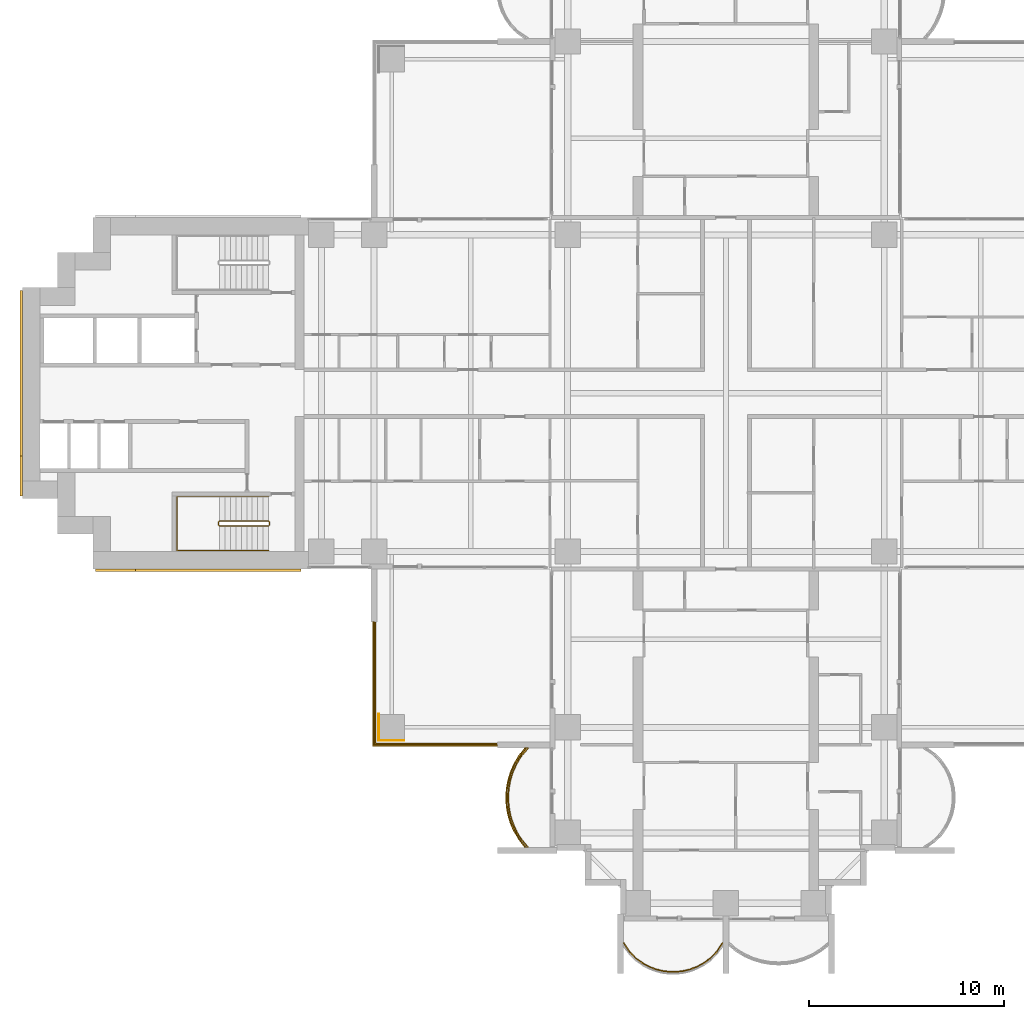
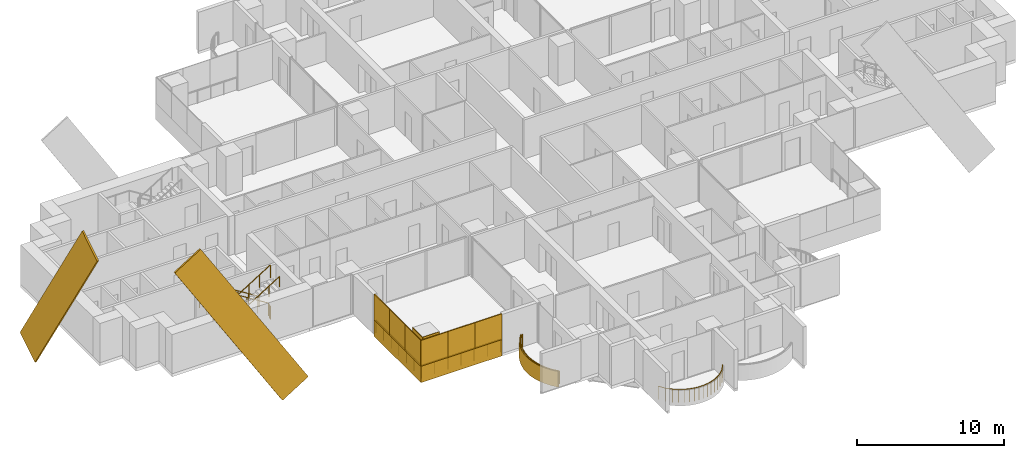
# One storey, part 18 of 22: 12 coverings, 5 railings.
"""IFC4 building model written with IfcOpenShell, lengths in metres."""

from ifc_helpers import new_model, si_unit, direction, frame, origin, origin_2d, place, context, subcontext, project, spatial, polyline, rectangle, outline, extrude, material, layer, layer_set, material_profile, profile_set, type_object, element, save


model = new_model("IFC4")

# Units and contexts
model_context = context("Model", 3, precision=1e-05, world=origin(), true_north=direction((0.0, 1.0)))
body_context = subcontext(model_context, "Body", "Model", "MODEL_VIEW")
ifc_project = project(units=[si_unit("LENGTHUNIT", "METRE"), si_unit("AREAUNIT", "SQUARE_METRE"), si_unit("VOLUMEUNIT", "CUBIC_METRE"), si_unit("PLANEANGLEUNIT", "RADIAN"), si_unit("MASSUNIT", "GRAM", prefix="KILO")], contexts=[model_context])

# Site, building, storey
site_placement = place(None, origin())
site = spatial("IfcSite", under=ifc_project, at=site_placement, CompositionType="ELEMENT")
building_placement = place(site_placement, origin())
building = spatial("IfcBuilding", under=site, at=building_placement, Name="Perihelion Cross Residences", CompositionType="ELEMENT")
storey_placement = place(building_placement, frame((0.0, 0.0, 50.5)))
storey = spatial("IfcBuildingStorey", under=building, at=storey_placement, Name="L09", CompositionType="ELEMENT", Elevation=50.5)

# Covering
ifc_material_1 = material(Name="Bronze anodised aluminium", Category="aluminium")
ifc_layer_1 = layer(ifc_material_1, 0.070068359375)
ifc_layer_set_1 = layer_set([ifc_layer_1], Name="Balcony fascia 1300")
covering_type_1 = type_object("IfcCoveringType", Name="Balcony fascia 1300", PredefinedType="CLADDING", material=ifc_layer_set_1)
covering_1_placement = place(storey_placement, frame((0.0, 0.0, -0.199951171875)))
element("IfcCovering", 1, at=covering_1_placement, inside=storey, type_object=covering_type_1, Name="Fascia BF1 L09 south side west bay 2", PredefinedType="CLADDING", context=body_context, shape_type="SweptSolid", body=[
    extrude(outline(polyline([(-10.59765625, -18.53515625), (-10.85498046875, -18.96826171875), (-11.04248046875, -19.401123046875), (-11.170654296875, -19.833984375), (-11.245361328125, -20.26708984375), (-11.27001953125, -20.699951171875), (-11.245361328125, -21.133056640625), (-11.170654296875, -21.56591796875), (-11.04248046875, -21.998779296875), (-10.85498046875, -22.431884765625), (-10.59765625, -22.86474609375), (-10.28955078125, -23.25), (-10.199951171875, -23.25), (-10.5400390625, -22.824951171875), (-10.792724609375, -22.39990234375), (-10.9765625, -21.97509765625), (-11.1025390625, -21.550048828125), (-11.17578125, -21.125), (-11.199951171875, -20.699951171875), (-11.17578125, -20.27490234375), (-11.1025390625, -19.85009765625), (-10.9765625, -19.425048828125), (-10.792724609375, -19.0), (-10.5400390625, -18.574951171875), (-10.199951171875, -18.14990234375), (-10.28955078125, -18.14990234375), (-10.59765625, -18.53515625)])), origin(), (0.0, 0.0, 1.0), 1.300048828125),
])

# Railings
ifc_material_2 = material(Name="Bronze anodised aluminium", Category="aluminium")
railing_type_1 = type_object("IfcRailingType", Name="Balcony guard 1100", PredefinedType="GUARDRAIL", material=ifc_material_2)
railing_1_placement = place(storey_placement, frame((-10.139892578125, -18.175048828125, 0.0)))
element("IfcRailing", 2, at=railing_1_placement, inside=storey, type_object=railing_type_1, Name="Guard GU1 L09 south side west bay 2 balcony", PredefinedType="GUARDRAIL", context=body_context, shape_type="SweptSolid", body=[
    extrude(rectangle(XDim=0.048095703125, YDim=0.048095703125, at=origin_2d()), frame((0.0, 0.0, 1.076171875), z_axis=(-0.647837396648, -0.761778647315, 0.0), x_axis=(0.761778647315, -0.647837396648, 0.0)), (0.0, 0.0, 1.0), 0.52490234375),
    extrude(rectangle(XDim=0.048095703125, YDim=0.048095703125, at=origin_2d()), frame((-0.340087890625, -0.39990234375, 1.076171875), z_axis=(-0.511006381501, -0.859576918062, 0.0), x_axis=(0.859576918062, -0.511006381501, 0.0)), (0.0, 0.0, 1.0), 0.494384765625),
    extrude(rectangle(XDim=0.048095703125, YDim=0.048095703125, at=origin_2d()), frame((-0.5927734375, -0.824951171875, 1.076171875), z_axis=(-0.397415137459, -0.917638931453, 0.0), x_axis=(0.917638931453, -0.397415137459, 0.0)), (0.0, 0.0, 1.0), 0.463134765625),
    extrude(rectangle(XDim=0.048095703125, YDim=0.048095703125, at=origin_2d()), frame((-0.77685546875, -1.25, 1.076171875), z_axis=(-0.283656975924, -0.958925815697, 0.0), x_axis=(0.958925815697, -0.283656975924, 0.0)), (0.0, 0.0, 1.0), 0.443359375),
    extrude(rectangle(XDim=0.048095703125, YDim=0.048095703125, at=origin_2d()), frame((-0.902587890625, -1.675048828125, 1.076171875), z_axis=(-0.170456843651, -0.985365142702, 0.0), x_axis=(0.985365142702, -0.170456843651, 0.0)), (0.0, 0.0, 1.0), 0.43115234375),
    extrude(rectangle(XDim=0.048095703125, YDim=0.048095703125, at=origin_2d()), frame((-0.97607421875, -2.099853515625, 1.076171875), z_axis=(-0.056200523353, -0.9984195016, 0.0), x_axis=(0.9984195016, -0.056200523353, 0.0)), (0.0, 0.0, 1.0), 0.42578125),
    extrude(rectangle(XDim=0.048095703125, YDim=0.048095703125, at=origin_2d()), frame((-1.0, -2.52490234375, 1.076171875), z_axis=(0.056200523353, -0.9984195016, 0.0), x_axis=(0.9984195016, 0.056200523353, 0.0)), (0.0, 0.0, 1.0), 0.42578125),
    extrude(rectangle(XDim=0.048095703125, YDim=0.048095703125, at=origin_2d()), frame((-0.97607421875, -2.949951171875, 1.076171875), z_axis=(0.17036177859, -0.985381583142, 0.0), x_axis=(0.985381583142, 0.17036177859, 0.0)), (0.0, 0.0, 1.0), 0.431396484375),
    extrude(rectangle(XDim=0.048095703125, YDim=0.048095703125, at=origin_2d()), frame((-0.902587890625, -3.375, 1.076171875), z_axis=(0.283656975924, -0.958925815697, 0.0), x_axis=(0.958925815697, 0.283656975924, 0.0)), (0.0, 0.0, 1.0), 0.443359375),
    extrude(rectangle(XDim=0.048095703125, YDim=0.048095703125, at=origin_2d()), frame((-0.77685546875, -3.800048828125, 1.076171875), z_axis=(0.397607437634, -0.91755562531, 0.0), x_axis=(0.91755562531, 0.397607437634, 0.0)), (0.0, 0.0, 1.0), 0.462890625),
    extrude(rectangle(XDim=0.048095703125, YDim=0.048095703125, at=origin_2d()), frame((-0.5927734375, -4.224853515625, 1.076171875), z_axis=(0.511006381501, -0.859576918062, 0.0), x_axis=(0.859576918062, 0.511006381501, 0.0)), (0.0, 0.0, 1.0), 0.494384765625),
    extrude(rectangle(XDim=0.048095703125, YDim=0.048095703125, at=origin_2d()), frame((-0.340087890625, -4.64990234375, 1.076171875), z_axis=(0.647607934281, -0.761973728849, 0.0), x_axis=(0.761973728849, 0.647607934281, 0.0)), (0.0, 0.0, 1.0), 0.525146484375),
    extrude(rectangle(XDim=0.0419921875, YDim=0.0419921875, at=origin_2d()), origin(), (0.0, 0.0, 1.0), 1.052001953125),
    extrude(rectangle(XDim=0.0419921875, YDim=0.0419921875, at=origin_2d()), frame((-0.340087890625, -0.39990234375, 0.0)), (0.0, 0.0, 1.0), 1.052001953125),
    extrude(rectangle(XDim=0.0419921875, YDim=0.0419921875, at=origin_2d()), frame((-0.5927734375, -0.824951171875, 0.0)), (0.0, 0.0, 1.0), 1.052001953125),
    extrude(rectangle(XDim=0.0419921875, YDim=0.0419921875, at=origin_2d()), frame((-0.77685546875, -1.25, 0.0)), (0.0, 0.0, 1.0), 1.052001953125),
    extrude(rectangle(XDim=0.0419921875, YDim=0.0419921875, at=origin_2d()), frame((-0.902587890625, -1.675048828125, 0.0)), (0.0, 0.0, 1.0), 1.052001953125),
    extrude(rectangle(XDim=0.0419921875, YDim=0.0419921875, at=origin_2d()), frame((-0.97607421875, -2.099853515625, 0.0)), (0.0, 0.0, 1.0), 1.052001953125),
    extrude(rectangle(XDim=0.0419921875, YDim=0.0419921875, at=origin_2d()), frame((-1.0, -2.52490234375, 0.0)), (0.0, 0.0, 1.0), 1.052001953125),
    extrude(rectangle(XDim=0.0419921875, YDim=0.0419921875, at=origin_2d()), frame((-0.97607421875, -2.949951171875, 0.0)), (0.0, 0.0, 1.0), 1.052001953125),
    extrude(rectangle(XDim=0.0419921875, YDim=0.0419921875, at=origin_2d()), frame((-0.902587890625, -3.375, 0.0)), (0.0, 0.0, 1.0), 1.052001953125),
    extrude(rectangle(XDim=0.0419921875, YDim=0.0419921875, at=origin_2d()), frame((-0.77685546875, -3.800048828125, 0.0)), (0.0, 0.0, 1.0), 1.052001953125),
    extrude(rectangle(XDim=0.0419921875, YDim=0.0419921875, at=origin_2d()), frame((-0.5927734375, -4.224853515625, 0.0)), (0.0, 0.0, 1.0), 1.052001953125),
    extrude(rectangle(XDim=0.0419921875, YDim=0.0419921875, at=origin_2d()), frame((-0.340087890625, -4.64990234375, 0.0)), (0.0, 0.0, 1.0), 1.052001953125),
    extrude(rectangle(XDim=0.0419921875, YDim=0.0419921875, at=origin_2d()), frame((0.0, -5.050048828125, 0.0)), (0.0, 0.0, 1.0), 1.052001953125),
])
railing_2_placement = place(storey_placement, frame((-5.22509765625, -28.139892578125, 0.0)))
element("IfcRailing", 3, at=railing_2_placement, inside=storey, type_object=railing_type_1, Name="Guard GU1 L09 south tip south bay 1 balcony", PredefinedType="GUARDRAIL", context=body_context, shape_type="SweptSolid", body=[
    extrude(rectangle(XDim=0.048095703125, YDim=0.048095703125, at=origin_2d()), frame((0.0, 0.0, 1.076171875), z_axis=(0.55144309028, -0.834212513801, 0.0), x_axis=(0.834212513801, 0.55144309028, 0.0)), (0.0, 0.0, 1.0), 0.571533203125),
    extrude(rectangle(XDim=0.048095703125, YDim=0.048095703125, at=origin_2d()), frame((0.315185546875, -0.476806640625, 1.076171875), z_axis=(0.717080736691, -0.696990112603, 0.0), x_axis=(0.696990112603, 0.717080736691, 0.0)), (0.0, 0.0, 1.0), 0.473876953125),
    extrude(rectangle(XDim=0.048095703125, YDim=0.048095703125, at=origin_2d()), frame((0.655029296875, -0.80712890625, 1.076171875), z_axis=(0.814562360662, -0.580075995532, 0.0), x_axis=(0.580075995532, 0.814562360662, 0.0)), (0.0, 0.0, 1.0), 0.41748046875),
    extrude(rectangle(XDim=0.048095703125, YDim=0.048095703125, at=origin_2d()), frame((0.9951171875, -1.04931640625, 1.076171875), z_axis=(0.886005761733, -0.463674228502, 0.0), x_axis=(0.463674228502, 0.886005761733, 0.0)), (0.0, 0.0, 1.0), 0.3837890625),
    extrude(rectangle(XDim=0.048095703125, YDim=0.048095703125, at=origin_2d()), frame((1.335205078125, -1.227294921875, 1.076171875), z_axis=(0.937431552165, -0.348169621027, 0.0), x_axis=(0.348169621027, 0.937431552165, 0.0)), (0.0, 0.0, 1.0), 0.362548828125),
    extrude(rectangle(XDim=0.048095703125, YDim=0.048095703125, at=origin_2d()), frame((1.675048828125, -1.353515625, 1.076171875), z_axis=(0.972753741142, -0.231840805498, 0.0), x_axis=(0.231840805498, 0.972753741142, 0.0)), (0.0, 0.0, 1.0), 0.349609375),
    extrude(rectangle(XDim=0.048095703125, YDim=0.048095703125, at=origin_2d()), frame((2.01513671875, -1.4345703125, 1.076171875), z_axis=(0.993295952156, -0.11559909788, 0.0), x_axis=(0.11559909788, 0.993295952156, 0.0)), (0.0, 0.0, 1.0), 0.342041015625),
    extrude(rectangle(XDim=0.048095703125, YDim=0.048095703125, at=origin_2d()), frame((2.35498046875, -1.47412109375, 1.076171875), z_axis=(1.0, 0.0, 0.0), x_axis=(0.0, 1.0, 0.0)), (0.0, 0.0, 1.0), 0.340087890625),
    extrude(rectangle(XDim=0.048095703125, YDim=0.048095703125, at=origin_2d()), frame((2.695068359375, -1.47412109375, 1.076171875), z_axis=(0.993305477634, 0.11551721994, 0.0), x_axis=(-0.11551721994, 0.993305477634, 0.0)), (0.0, 0.0, 1.0), 0.34228515625),
    extrude(rectangle(XDim=0.048095703125, YDim=0.048095703125, at=origin_2d()), frame((3.03515625, -1.4345703125, 1.076171875), z_axis=(0.972716168284, 0.231998396458, 0.0), x_axis=(-0.231998396458, 0.972716168284, 0.0)), (0.0, 0.0, 1.0), 0.349365234375),
    extrude(rectangle(XDim=0.048095703125, YDim=0.048095703125, at=origin_2d()), frame((3.375, -1.353515625, 1.076171875), z_axis=(0.93751311099, 0.347949948587, 0.0), x_axis=(-0.347949948587, 0.93751311099, 0.0)), (0.0, 0.0, 1.0), 0.36279296875),
    extrude(rectangle(XDim=0.048095703125, YDim=0.048095703125, at=origin_2d()), frame((3.715087890625, -1.227294921875, 1.076171875), z_axis=(0.886005761733, 0.463674228502, 0.0), x_axis=(-0.463674228502, 0.886005761733, 0.0)), (0.0, 0.0, 1.0), 0.3837890625),
    extrude(rectangle(XDim=0.048095703125, YDim=0.048095703125, at=origin_2d()), frame((4.05517578125, -1.04931640625, 1.076171875), z_axis=(0.814365457194, 0.580352394782, 0.0), x_axis=(-0.580352394782, 0.814365457194, 0.0)), (0.0, 0.0, 1.0), 0.417236328125),
    extrude(rectangle(XDim=0.048095703125, YDim=0.048095703125, at=origin_2d()), frame((4.39501953125, -0.80712890625, 1.076171875), z_axis=(0.717330852669, 0.69673269466, 0.0), x_axis=(-0.69673269466, 0.717330852669, 0.0)), (0.0, 0.0, 1.0), 0.47412109375),
    extrude(rectangle(XDim=0.048095703125, YDim=0.048095703125, at=origin_2d()), frame((4.735107421875, -0.476806640625, 1.076171875), z_axis=(0.551145731138, 0.834409002258, 0.0), x_axis=(-0.834409002258, 0.551145731138, 0.0)), (0.0, 0.0, 1.0), 0.571533203125),
    extrude(rectangle(XDim=0.0419921875, YDim=0.0419921875, at=origin_2d()), origin(), (0.0, 0.0, 1.0), 1.052001953125),
    extrude(rectangle(XDim=0.0419921875, YDim=0.0419921875, at=origin_2d()), frame((0.315185546875, -0.476806640625, 0.0)), (0.0, 0.0, 1.0), 1.052001953125),
    extrude(rectangle(XDim=0.0419921875, YDim=0.0419921875, at=origin_2d()), frame((0.655029296875, -0.80712890625, 0.0)), (0.0, 0.0, 1.0), 1.052001953125),
    extrude(rectangle(XDim=0.0419921875, YDim=0.0419921875, at=origin_2d()), frame((0.9951171875, -1.04931640625, 0.0)), (0.0, 0.0, 1.0), 1.052001953125),
    extrude(rectangle(XDim=0.0419921875, YDim=0.0419921875, at=origin_2d()), frame((1.335205078125, -1.227294921875, 0.0)), (0.0, 0.0, 1.0), 1.052001953125),
    extrude(rectangle(XDim=0.0419921875, YDim=0.0419921875, at=origin_2d()), frame((1.675048828125, -1.353515625, 0.0)), (0.0, 0.0, 1.0), 1.052001953125),
    extrude(rectangle(XDim=0.0419921875, YDim=0.0419921875, at=origin_2d()), frame((2.01513671875, -1.4345703125, 0.0)), (0.0, 0.0, 1.0), 1.052001953125),
    extrude(rectangle(XDim=0.0419921875, YDim=0.0419921875, at=origin_2d()), frame((2.35498046875, -1.47412109375, 0.0)), (0.0, 0.0, 1.0), 1.052001953125),
    extrude(rectangle(XDim=0.0419921875, YDim=0.0419921875, at=origin_2d()), frame((2.695068359375, -1.47412109375, 0.0)), (0.0, 0.0, 1.0), 1.052001953125),
    extrude(rectangle(XDim=0.0419921875, YDim=0.0419921875, at=origin_2d()), frame((3.03515625, -1.4345703125, 0.0)), (0.0, 0.0, 1.0), 1.052001953125),
    extrude(rectangle(XDim=0.0419921875, YDim=0.0419921875, at=origin_2d()), frame((3.375, -1.353515625, 0.0)), (0.0, 0.0, 1.0), 1.052001953125),
    extrude(rectangle(XDim=0.0419921875, YDim=0.0419921875, at=origin_2d()), frame((3.715087890625, -1.227294921875, 0.0)), (0.0, 0.0, 1.0), 1.052001953125),
    extrude(rectangle(XDim=0.0419921875, YDim=0.0419921875, at=origin_2d()), frame((4.05517578125, -1.04931640625, 0.0)), (0.0, 0.0, 1.0), 1.052001953125),
    extrude(rectangle(XDim=0.0419921875, YDim=0.0419921875, at=origin_2d()), frame((4.39501953125, -0.80712890625, 0.0)), (0.0, 0.0, 1.0), 1.052001953125),
    extrude(rectangle(XDim=0.0419921875, YDim=0.0419921875, at=origin_2d()), frame((4.735107421875, -0.476806640625, 0.0)), (0.0, 0.0, 1.0), 1.052001953125),
    extrude(rectangle(XDim=0.0419921875, YDim=0.0419921875, at=origin_2d()), frame((5.050048828125, 0.0, 0.0)), (0.0, 0.0, 1.0), 1.052001953125),
])
railing_3_placement = place(storey_placement, frame((-11.739990234375, -17.93994140625, 0.0)))
element("IfcRailing", 4, at=railing_3_placement, inside=storey, type_object=railing_type_1, Name="Guard GU1 L09 pocket south-west 1", PredefinedType="GUARDRAIL", context=body_context, shape_type="SweptSolid", body=[
    extrude(rectangle(XDim=0.048095703125, YDim=0.048095703125, at=origin_2d()), frame((0.0, 0.0, 1.076171875), z_axis=(-1.0, 0.0, 0.0), x_axis=(0.0, -1.0, 0.0)), (0.0, 0.0, 1.0), 6.199951171875),
    extrude(rectangle(XDim=0.048095703125, YDim=0.048095703125, at=origin_2d()), frame((-6.199951171875, 0.0, 1.076171875), z_axis=(0.0, 1.0, 0.0), x_axis=(-1.0, 0.0, 0.0)), (0.0, 0.0, 1.0), 6.199951171875),
    extrude(rectangle(XDim=0.0419921875, YDim=0.0419921875, at=origin_2d()), origin(), (0.0, 0.0, 1.0), 1.052001953125),
    extrude(rectangle(XDim=0.0419921875, YDim=0.0419921875, at=origin_2d()), frame((-1.033203125, 0.0, 0.0)), (0.0, 0.0, 1.0), 1.052001953125),
    extrude(rectangle(XDim=0.0419921875, YDim=0.0419921875, at=origin_2d()), frame((-2.066650390625, 0.0, 0.0)), (0.0, 0.0, 1.0), 1.052001953125),
    extrude(rectangle(XDim=0.0419921875, YDim=0.0419921875, at=origin_2d()), frame((-3.10009765625, 0.0, 0.0)), (0.0, 0.0, 1.0), 1.052001953125),
    extrude(rectangle(XDim=0.0419921875, YDim=0.0419921875, at=origin_2d()), frame((-4.13330078125, 0.0, 0.0)), (0.0, 0.0, 1.0), 1.052001953125),
    extrude(rectangle(XDim=0.0419921875, YDim=0.0419921875, at=origin_2d()), frame((-5.16650390625, 0.0, 0.0)), (0.0, 0.0, 1.0), 1.052001953125),
    extrude(rectangle(XDim=0.0419921875, YDim=0.0419921875, at=origin_2d()), frame((-6.199951171875, 0.0, 0.0)), (0.0, 0.0, 1.0), 1.052001953125),
    extrude(rectangle(XDim=0.0419921875, YDim=0.0419921875, at=origin_2d()), frame((-6.199951171875, 1.033203125, 0.0)), (0.0, 0.0, 1.0), 1.052001953125),
    extrude(rectangle(XDim=0.0419921875, YDim=0.0419921875, at=origin_2d()), frame((-6.199951171875, 2.066650390625, 0.0)), (0.0, 0.0, 1.0), 1.052001953125),
    extrude(rectangle(XDim=0.0419921875, YDim=0.0419921875, at=origin_2d()), frame((-6.199951171875, 3.10009765625, 0.0)), (0.0, 0.0, 1.0), 1.052001953125),
    extrude(rectangle(XDim=0.0419921875, YDim=0.0419921875, at=origin_2d()), frame((-6.199951171875, 4.13330078125, 0.0)), (0.0, 0.0, 1.0), 1.052001953125),
    extrude(rectangle(XDim=0.0419921875, YDim=0.0419921875, at=origin_2d()), frame((-6.199951171875, 5.16650390625, 0.0)), (0.0, 0.0, 1.0), 1.052001953125),
    extrude(rectangle(XDim=0.0419921875, YDim=0.0419921875, at=origin_2d()), frame((-6.199951171875, 6.199951171875, 0.0)), (0.0, 0.0, 1.0), 1.052001953125),
])

# Coverings
ifc_material_3 = material(Name="Bronze anodised aluminium", Category="aluminium")
ifc_material_profile = material_profile(ifc_material_3, rectangle(XDim=0.125, YDim=2.39990234375, at=origin_2d()), Name="Bronze cladding band 2400")
ifc_profile_set = profile_set([ifc_material_profile], Name="Bronze anodised aluminium")
covering_type_2 = type_object("IfcCoveringType", Name="Bronze cladding band 2400", PredefinedType="CLADDING", material=ifc_profile_set)
for number, where, z_axis, x_axis, name in (
    (5, (-22.767578125, -9.0625, -4.509765625), (-0.529924750763, 0.0, 0.848044667767), (0.0, -1.0, 0.0), "Core cladding band, west core"),
    (6, (-36.0625, 4.232421875, -4.509765625), (0.0, -0.529924750763, 0.848044667767), (1.0, 0.0, 0.0), "Core cladding band, west core"),
):
    element("IfcCovering", number, at=place(storey_placement, frame(where, z_axis=z_axis, x_axis=x_axis)), inside=storey, type_object=covering_type_2, Name=name, PredefinedType="CLADDING", context=body_context, shape_type="SweptSolid", body=[
        extrude(rectangle(XDim=0.125, YDim=2.39990234375, at=origin_2d()), origin(), (0.0, 0.0, 1.0), 15.9736328125),
    ])
ifc_material_4 = material(Name="Bronze anodised aluminium", Category="aluminium")
ifc_layer_2 = layer(ifc_material_4, 0.0400390625)
ifc_layer_set_2 = layer_set([ifc_layer_2], Name="Bronze column casing 40")
covering_type_3 = type_object("IfcCoveringType", Name="Bronze column casing 40", PredefinedType="CLADDING", material=ifc_layer_set_2)
covering_2_placement = place(storey_placement, frame((-17.77001953125, -17.10009765625, -0.25), z_axis=(0.0, 0.0, 1.0), x_axis=(1.0, 0.0, 0.0)))
element("IfcCovering", 7, at=covering_2_placement, inside=storey, type_object=covering_type_3, Name="Cladding CC1 L09 casing east-west no. 1", PredefinedType="CLADDING", context=body_context, shape_type="SweptSolid", body=[
    extrude(rectangle(XDim=0.0400390625, YDim=1.3798828125, at=origin_2d()), origin(), (0.0, 0.0, 1.0), 3.5),
])
covering_3_placement = place(storey_placement, frame((-17.10009765625, -17.77001953125, -0.25), z_axis=(0.0, 0.0, 1.0), x_axis=(1.0, 0.0, 0.0)))
element("IfcCovering", 8, at=covering_3_placement, inside=storey, type_object=covering_type_3, Name="Cladding CC1 L09 casing north-south no. 1", PredefinedType="CLADDING", context=body_context, shape_type="SweptSolid", body=[
    extrude(rectangle(XDim=1.300048828125, YDim=0.0400390625, at=origin_2d()), origin(), (0.0, 0.0, 1.0), 3.5),
])
ifc_material_5 = material(Name="Bronze anodised aluminium", Category="aluminium")
ifc_layer_3 = layer(ifc_material_5, 0.070068359375)
ifc_layer_set_3 = layer_set([ifc_layer_3], Name="Pocket fascia 1350")
covering_type_4 = type_object("IfcCoveringType", Name="Pocket fascia 1350", PredefinedType="CLADDING", material=ifc_layer_set_3)
covering_4_placement = place(storey_placement, frame((0.0, 0.0, -0.25)))
element("IfcCovering", 9, at=covering_4_placement, inside=storey, type_object=covering_type_4, Name="Fascia BF2 L09 pocket south-west 1", PredefinedType="CLADDING", context=body_context, shape_type="SweptSolid", body=[
    extrude(outline(polyline([(-18.070068359375, -11.699951171875), (-18.070068359375, -18.070068359375), (-11.699951171875, -18.070068359375), (-11.699951171875, -18.0), (-18.0, -18.0), (-18.0, -11.699951171875), (-18.070068359375, -11.699951171875)])), origin(), (0.0, 0.0, 1.0), 1.35009765625),
])
ifc_material_6 = material(Name="Bronze perforated aluminium", Category="aluminium")
ifc_layer_4 = layer(ifc_material_6, 0.070068359375)
ifc_layer_set_4 = layer_set([ifc_layer_4], Name="Pocket solar screen, bronze perforated")
covering_type_5 = type_object("IfcCoveringType", Name="Pocket solar screen, bronze perforated", PredefinedType="CLADDING", material=ifc_layer_set_4)
covering_5_placement = place(storey_placement, frame((0.0, 0.0, 1.10009765625)))
element("IfcCovering", 10, at=covering_5_placement, inside=storey, type_object=covering_type_5, Name="Solar screen PS1 L09 pocket south-west no. 1", PredefinedType="CLADDING", context=body_context, shape_type="SweptSolid", body=[
    extrude(outline(polyline([(-18.0, -18.0), (-18.0, -15.89990234375), (-18.070068359375, -15.89990234375), (-18.070068359375, -18.0), (-18.0, -18.0)])), origin(), (0.0, 0.0, 1.0), 2.14990234375),
])
covering_6_placement = place(storey_placement, frame((0.0, 0.0, 1.10009765625)))
element("IfcCovering", 11, at=covering_6_placement, inside=storey, type_object=covering_type_5, Name="Solar screen PS1 L09 pocket south-west no. 2", PredefinedType="CLADDING", context=body_context, shape_type="SweptSolid", body=[
    extrude(outline(polyline([(-18.0, -15.89990234375), (-18.0, -13.800048828125), (-18.070068359375, -13.800048828125), (-18.070068359375, -15.89990234375), (-18.0, -15.89990234375)])), origin(), (0.0, 0.0, 1.0), 2.14990234375),
])
covering_7_placement = place(storey_placement, frame((0.0, 0.0, 1.10009765625)))
element("IfcCovering", 12, at=covering_7_placement, inside=storey, type_object=covering_type_5, Name="Solar screen PS1 L09 pocket south-west no. 3", PredefinedType="CLADDING", context=body_context, shape_type="SweptSolid", body=[
    extrude(outline(polyline([(-18.0, -13.800048828125), (-18.0, -11.699951171875), (-18.070068359375, -11.699951171875), (-18.070068359375, -13.800048828125), (-18.0, -13.800048828125)])), origin(), (0.0, 0.0, 1.0), 2.14990234375),
])
covering_8_placement = place(storey_placement, frame((0.0, 0.0, 1.10009765625)))
element("IfcCovering", 13, at=covering_8_placement, inside=storey, type_object=covering_type_5, Name="Solar screen PS1 L09 pocket south-west no. 4", PredefinedType="CLADDING", context=body_context, shape_type="SweptSolid", body=[
    extrude(outline(polyline([(-15.94677734375, -18.070068359375), (-15.94677734375, -18.0), (-18.070068359375, -18.0), (-18.070068359375, -18.070068359375), (-15.94677734375, -18.070068359375)])), origin(), (0.0, 0.0, 1.0), 2.14990234375),
])
covering_9_placement = place(storey_placement, frame((0.0, 0.0, 1.10009765625)))
element("IfcCovering", 14, at=covering_9_placement, inside=storey, type_object=covering_type_5, Name="Solar screen PS1 L09 pocket south-west no. 5", PredefinedType="CLADDING", context=body_context, shape_type="SweptSolid", body=[
    extrude(outline(polyline([(-13.8232421875, -18.070068359375), (-13.8232421875, -18.0), (-15.94677734375, -18.0), (-15.94677734375, -18.070068359375), (-13.8232421875, -18.070068359375)])), origin(), (0.0, 0.0, 1.0), 2.14990234375),
])
covering_10_placement = place(storey_placement, frame((0.0, 0.0, 1.10009765625)))
element("IfcCovering", 15, at=covering_10_placement, inside=storey, type_object=covering_type_5, Name="Solar screen PS1 L09 pocket south-west no. 6", PredefinedType="CLADDING", context=body_context, shape_type="SweptSolid", body=[
    extrude(outline(polyline([(-11.699951171875, -18.070068359375), (-11.699951171875, -18.0), (-13.8232421875, -18.0), (-13.8232421875, -18.070068359375), (-11.699951171875, -18.070068359375)])), origin(), (0.0, 0.0, 1.0), 2.14990234375),
])

# Railings
ifc_material_7 = material(Name="Stainless steel", Category="steel")
railing_type_2 = type_object("IfcRailingType", Name="Stair guard 1100", PredefinedType="GUARDRAIL", material=ifc_material_7)
railing_4_placement = place(storey_placement, frame((-23.35009765625, -6.75, 0.0)))
element("IfcRailing", 16, at=railing_4_placement, inside=storey, type_object=railing_type_2, Name="L09 ST-W2 stair guard 1", PredefinedType="GUARDRAIL", context=body_context, shape_type="SweptSolid", body=[
    extrude(rectangle(XDim=0.048095703125, YDim=0.048095703125, at=origin_2d()), frame((0.0, 0.0, 1.076171875), z_axis=(0.0, 1.0, 0.0), x_axis=(-1.0, 0.0, 0.0)), (0.0, 0.0, 1.0), 0.14990234375),
    extrude(rectangle(XDim=0.048095703125, YDim=0.048095703125, at=origin_2d()), frame((0.0, 0.14990234375, 1.076171875), z_axis=(-0.263862480399, 0.265155923931, 0.927399011991), x_axis=(-0.708833529934, -0.705375805398, 0.0)), (0.0, 0.0, 1.0), 0.188720703125),
    extrude(rectangle(XDim=0.048095703125, YDim=0.048095703125, at=origin_2d()), frame((-0.0498046875, 0.199951171875, 1.2509765625), z_axis=(-0.848007534815, 0.0, 0.529984170421), x_axis=(0.0, -1.0, 0.0)), (0.0, 0.0, 1.0), 2.9716796875),
    extrude(rectangle(XDim=0.048095703125, YDim=0.048095703125, at=origin_2d()), frame((-2.56982421875, 0.199951171875, 2.826171875), z_axis=(-0.707106781187, -0.707106781187, 0.0), x_axis=(0.707106781187, -0.707106781187, 0.0)), (0.0, 0.0, 1.0), 0.07080078125),
    extrude(rectangle(XDim=0.048095703125, YDim=0.048095703125, at=origin_2d()), frame((-2.619873046875, 0.14990234375, 2.826171875), z_axis=(0.0, -1.0, 0.0), x_axis=(1.0, 0.0, 0.0)), (0.0, 0.0, 1.0), 0.14990234375),
    extrude(rectangle(XDim=0.048095703125, YDim=0.048095703125, at=origin_2d()), frame((-2.619873046875, 0.0, 2.826171875), z_axis=(0.265065253269, -0.265065253269, 0.927081885822), x_axis=(0.707106781187, 0.707106781187, 0.0)), (0.0, 0.0, 1.0), 0.188720703125),
    extrude(rectangle(XDim=0.048095703125, YDim=0.048095703125, at=origin_2d()), frame((-2.56982421875, -0.050048828125, 3.0009765625), z_axis=(0.848007534815, 0.0, 0.529984170421), x_axis=(0.0, 1.0, 0.0)), (0.0, 0.0, 1.0), 2.9716796875),
    extrude(rectangle(XDim=0.0419921875, YDim=0.0419921875, at=origin_2d()), origin(), (0.0, 0.0, 1.0), 1.052001953125),
    extrude(rectangle(XDim=0.0419921875, YDim=0.0419921875, at=origin_2d()), frame((0.0, 0.14990234375, 0.0)), (0.0, 0.0, 1.0), 1.052001953125),
    extrude(rectangle(XDim=0.0419921875, YDim=0.0419921875, at=origin_2d()), frame((-0.0498046875, 0.199951171875, 0.175048828125)), (0.0, 0.0, 1.0), 1.052001953125),
    extrude(rectangle(XDim=0.0419921875, YDim=0.0419921875, at=origin_2d()), frame((-0.889892578125, 0.199951171875, 0.699951171875)), (0.0, 0.0, 1.0), 1.052001953125),
    extrude(rectangle(XDim=0.0419921875, YDim=0.0419921875, at=origin_2d()), frame((-1.729736328125, 0.199951171875, 1.22509765625)), (0.0, 0.0, 1.0), 1.052001953125),
    extrude(rectangle(XDim=0.0419921875, YDim=0.0419921875, at=origin_2d()), frame((-2.56982421875, 0.199951171875, 1.75)), (0.0, 0.0, 1.0), 1.052001953125),
    extrude(rectangle(XDim=0.0419921875, YDim=0.0419921875, at=origin_2d()), frame((-2.619873046875, 0.14990234375, 1.75)), (0.0, 0.0, 1.0), 1.052001953125),
    extrude(rectangle(XDim=0.0419921875, YDim=0.0419921875, at=origin_2d()), frame((-2.619873046875, 0.0, 1.75)), (0.0, 0.0, 1.0), 1.052001953125),
    extrude(rectangle(XDim=0.0419921875, YDim=0.0419921875, at=origin_2d()), frame((-2.56982421875, -0.050048828125, 1.925048828125)), (0.0, 0.0, 1.0), 1.052001953125),
    extrude(rectangle(XDim=0.0419921875, YDim=0.0419921875, at=origin_2d()), frame((-1.729736328125, -0.050048828125, 2.449951171875)), (0.0, 0.0, 1.0), 1.052001953125),
    extrude(rectangle(XDim=0.0419921875, YDim=0.0419921875, at=origin_2d()), frame((-0.889892578125, -0.050048828125, 2.97509765625)), (0.0, 0.0, 1.0), 1.052001953125),
    extrude(rectangle(XDim=0.0419921875, YDim=0.0419921875, at=origin_2d()), frame((-0.0498046875, -0.050048828125, 3.5)), (0.0, 0.0, 1.0), 1.052001953125),
])
ifc_material_8 = material(Name="Stainless steel", Category="steel")
railing_type_3 = type_object("IfcRailingType", Name="Stair handrail 900", PredefinedType="HANDRAIL", material=ifc_material_8)
railing_5_placement = place(storey_placement, frame((-23.39990234375, -5.300048828125, 0.175048828125)))
element("IfcRailing", 17, at=railing_5_placement, inside=storey, type_object=railing_type_3, Name="L09 ST-W2 stair handrail 1", PredefinedType="HANDRAIL", context=body_context, shape_type="SweptSolid", body=[
    extrude(rectangle(XDim=0.048095703125, YDim=0.048095703125, at=origin_2d()), frame((0.0, 0.0, 0.8759765625), z_axis=(-0.848007534815, 0.0, 0.529984170421), x_axis=(0.0, -1.0, 0.0)), (0.0, 0.0, 1.0), 2.9716796875),
    extrude(rectangle(XDim=0.048095703125, YDim=0.048095703125, at=origin_2d()), frame((-2.52001953125, 0.0, 2.45068359375), z_axis=(-1.0, 0.0, 0.0), x_axis=(0.0, -1.0, 0.0)), (0.0, 0.0, 1.0), 2.18017578125),
    extrude(rectangle(XDim=0.048095703125, YDim=0.048095703125, at=origin_2d()), frame((-4.7001953125, 0.0, 2.45068359375), z_axis=(0.0, -1.0, 0.0), x_axis=(1.0, 0.0, 0.0)), (0.0, 0.0, 1.0), 2.75),
    extrude(rectangle(XDim=0.048095703125, YDim=0.048095703125, at=origin_2d()), frame((-4.7001953125, -2.75, 2.45068359375), z_axis=(1.0, 0.0, 0.0), x_axis=(0.0, 1.0, 0.0)), (0.0, 0.0, 1.0), 2.18017578125),
    extrude(rectangle(XDim=0.048095703125, YDim=0.048095703125, at=origin_2d()), frame((-2.52001953125, -2.75, 2.45068359375), z_axis=(0.0, 0.0, 1.0), x_axis=(1.0, 0.0, 0.0)), (0.0, 0.0, 1.0), 0.175048828125),
    extrude(rectangle(XDim=0.048095703125, YDim=0.048095703125, at=origin_2d()), frame((-2.52001953125, -2.75, 2.6259765625), z_axis=(0.848007534815, 0.0, 0.529984170421), x_axis=(0.0, 1.0, 0.0)), (0.0, 0.0, 1.0), 2.9716796875),
    extrude(rectangle(XDim=0.0419921875, YDim=0.0419921875, at=origin_2d()), origin(), (0.0, 0.0, 1.0), 0.851806640625),
    extrude(rectangle(XDim=0.0419921875, YDim=0.0419921875, at=origin_2d()), frame((-0.840087890625, 0.0, 0.52490234375)), (0.0, 0.0, 1.0), 0.851806640625),
    extrude(rectangle(XDim=0.0419921875, YDim=0.0419921875, at=origin_2d()), frame((-1.679931640625, 0.0, 1.050048828125)), (0.0, 0.0, 1.0), 0.851806640625),
    extrude(rectangle(XDim=0.0419921875, YDim=0.0419921875, at=origin_2d()), frame((-2.52001953125, 0.0, 1.574951171875)), (0.0, 0.0, 1.0), 0.851806640625),
    extrude(rectangle(XDim=0.0419921875, YDim=0.0419921875, at=origin_2d()), frame((-3.610107421875, 0.0, 1.574951171875)), (0.0, 0.0, 1.0), 0.851806640625),
    extrude(rectangle(XDim=0.0419921875, YDim=0.0419921875, at=origin_2d()), frame((-4.7001953125, 0.0, 1.574951171875)), (0.0, 0.0, 1.0), 0.851806640625),
    extrude(rectangle(XDim=0.0419921875, YDim=0.0419921875, at=origin_2d()), frame((-4.7001953125, -0.916748046875, 1.574951171875)), (0.0, 0.0, 1.0), 0.851806640625),
    extrude(rectangle(XDim=0.0419921875, YDim=0.0419921875, at=origin_2d()), frame((-4.7001953125, -1.833251953125, 1.574951171875)), (0.0, 0.0, 1.0), 0.851806640625),
    extrude(rectangle(XDim=0.0419921875, YDim=0.0419921875, at=origin_2d()), frame((-4.7001953125, -2.75, 1.574951171875)), (0.0, 0.0, 1.0), 0.851806640625),
    extrude(rectangle(XDim=0.0419921875, YDim=0.0419921875, at=origin_2d()), frame((-3.610107421875, -2.75, 1.574951171875)), (0.0, 0.0, 1.0), 0.851806640625),
    extrude(rectangle(XDim=0.0419921875, YDim=0.0419921875, at=origin_2d()), frame((-2.52001953125, -2.75, 1.574951171875)), (0.0, 0.0, 1.0), 0.851806640625),
    extrude(rectangle(XDim=0.0419921875, YDim=0.0419921875, at=origin_2d()), frame((-2.52001953125, -2.75, 1.75)), (0.0, 0.0, 1.0), 0.851806640625),
    extrude(rectangle(XDim=0.0419921875, YDim=0.0419921875, at=origin_2d()), frame((-1.679931640625, -2.75, 2.27490234375)), (0.0, 0.0, 1.0), 0.851806640625),
    extrude(rectangle(XDim=0.0419921875, YDim=0.0419921875, at=origin_2d()), frame((-0.840087890625, -2.75, 2.800048828125)), (0.0, 0.0, 1.0), 0.851806640625),
    extrude(rectangle(XDim=0.0419921875, YDim=0.0419921875, at=origin_2d()), frame((0.0, -2.75, 3.324951171875)), (0.0, 0.0, 1.0), 0.851806640625),
])

save(model, "model.ifc")
